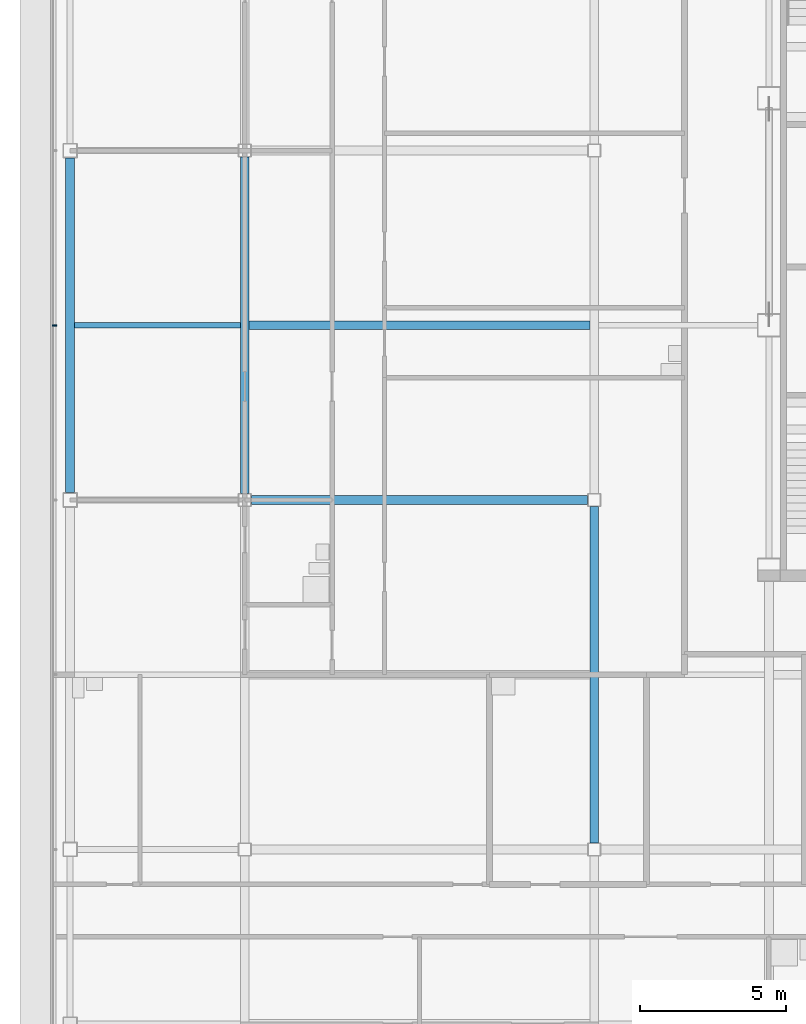
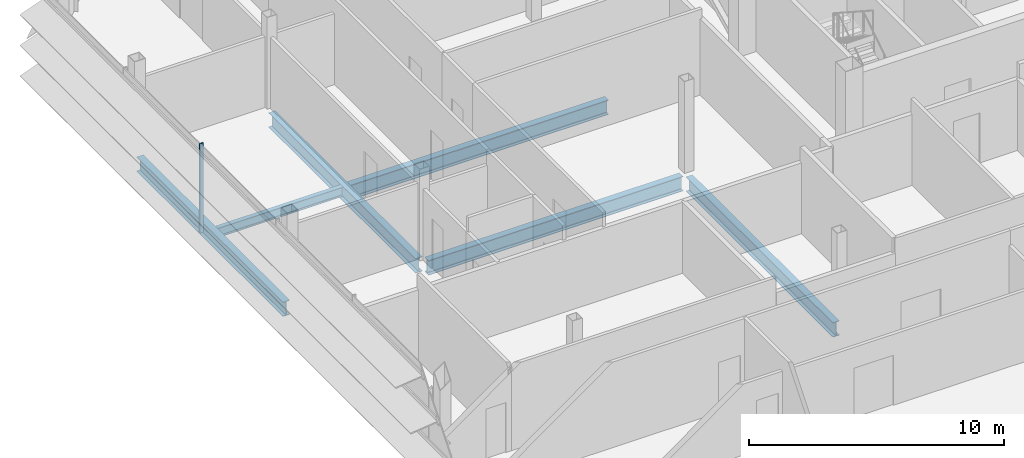
# One storey, part 8 of 29: 6 beams, 1 member, 1 element without a shape of its own.
"""IFC4 building model written with IfcOpenShell, lengths in metres."""

from ifc_helpers import new_model, si_unit, direction, frame, origin, origin_2d, place, context, subcontext, project, spatial, rectangle, i_section, extrude, material, material_profile, profile_set, type_object, element, aggregate, save


model = new_model("IFC4")

# Units and contexts
model_context = context("Model", 3, precision=1e-05, world=origin(), true_north=direction((0.0, 1.0)))
body_context = subcontext(model_context, "Body", "Model", "MODEL_VIEW")
ifc_project = project(units=[si_unit("LENGTHUNIT", "METRE"), si_unit("AREAUNIT", "SQUARE_METRE"), si_unit("VOLUMEUNIT", "CUBIC_METRE"), si_unit("PLANEANGLEUNIT", "RADIAN"), si_unit("MASSUNIT", "GRAM", prefix="KILO")], contexts=[model_context])

# Site, building, storey
site_placement = place(None, origin())
site = spatial("IfcSite", under=ifc_project, at=site_placement, CompositionType="ELEMENT")
building_placement = place(site_placement, origin())
building = spatial("IfcBuilding", under=site, at=building_placement, Name="Sorahane Residences", CompositionType="ELEMENT")
storey_placement = place(building_placement, frame((0.0, 0.0, 326.800048828125)))
storey = spatial("IfcBuildingStorey", under=building, at=storey_placement, Name="L78", CompositionType="ELEMENT", Elevation=326.800048828125)

# Curtain wall, member
ifc_material_1 = material(Name="Dark low-e glass and black anodised aluminium", Category="aluminium")
curtain_wall_type = type_object("IfcCurtainWallType", Name="Curtain wall CW-1 Typical unitised wall", PredefinedType="NOTDEFINED", material=ifc_material_1)
curtain_wall_placement = place(storey_placement, origin())
curtain_wall = element("IfcCurtainWall", 1, at=curtain_wall_placement, inside=storey, type_object=curtain_wall_type, Name="CW-1 curtain wall L78 W1", PredefinedType="NOTDEFINED")
ifc_material_2 = material(Name="Black anodised aluminium", Category="aluminium")
ifc_material_profile_1 = material_profile(ifc_material_2, rectangle(XDim=0.159912109375, YDim=0.050048828125, at=origin_2d()), Name="Curtain wall mullion CW-1 black anodised aluminium 50x160")
ifc_profile_set_1 = profile_set([ifc_material_profile_1], Name="Black anodised aluminium")
member_type = type_object("IfcMemberType", Name="Curtain wall mullion CW-1 black anodised aluminium 50x160", PredefinedType="MULLION", material=ifc_profile_set_1)
member_placement = place(storey_placement, frame((-18.5400390625, 30.0, -0.179931640625), z_axis=(0.0, 0.0, 1.0), x_axis=(-1.0, 0.0, 0.0)))
member = element("IfcMember", 2, at=member_placement, type_object=member_type, Name="CW-1 mullion L78 W1.3", PredefinedType="MULLION", context=body_context, shape_type="SweptSolid", body=[
    extrude(rectangle(XDim=0.159912109375, YDim=0.050048828125, at=origin_2d()), origin(), (0.0, 0.0, 1.0), 4.27978515625),
])
aggregate(curtain_wall, [member])

# Beams
ifc_material_3 = material(Name="Steel Q355B", Category="steel")
ifc_material_profile_2 = material_profile(ifc_material_3, i_section(OverallWidth=0.199951171875, OverallDepth=0.449951171875, WebThickness=0.009033203125, FlangeThickness=0.013916015625, FilletRadius=0.02001953125, at=origin_2d()), Name="HN 450x200x9x14")
ifc_profile_set_2 = profile_set([ifc_material_profile_2], Name="Steel Q355B")
beam_type_1 = type_object("IfcBeamType", Name="Steel floor beam HN 450x200x9x14 Q355B", PredefinedType="BEAM", material=ifc_profile_set_2)
beam_1_placement = place(storey_placement, frame((-17.85009765625, 30.0, -0.405029296875), z_axis=(1.0, 0.0, 0.0), x_axis=(0.0, 1.0, 0.0)))
element("IfcBeam", 3, at=beam_1_placement, inside=storey, type_object=beam_type_1, Name="Beam L78 083", PredefinedType="BEAM", context=body_context, shape_type="SweptSolid", body=[
    extrude(i_section(OverallWidth=0.199951171875, OverallDepth=0.449951171875, WebThickness=0.009033203125, FlangeThickness=0.013916015625, FilletRadius=0.02001953125, at=origin_2d()), origin(), (0.0, 0.0, 1.0), 5.7001953125),
])
ifc_material_4 = material(Name="Steel Q355B", Category="steel")
ifc_material_profile_3 = material_profile(ifc_material_4, i_section(OverallWidth=0.300048828125, OverallDepth=0.699951171875, WebThickness=0.012939453125, FlangeThickness=0.02392578125, FilletRadius=0.028076171875, at=origin_2d()), Name="HN 700x300x13x24")
ifc_profile_set_3 = profile_set([ifc_material_profile_3], Name="Steel Q355B")
beam_type_2 = type_object("IfcBeamType", Name="Steel floor beam HN 700x300x13x24 Q355B", PredefinedType="BEAM", material=ifc_profile_set_3)
beam_2_placement = place(storey_placement, frame((-11.77490234375, 24.0, -0.530029296875), z_axis=(1.0, 0.0, 0.0), x_axis=(0.0, 1.0, 0.0)))
element("IfcBeam", 4, at=beam_2_placement, inside=storey, type_object=beam_type_2, Name="Beam L78 012", PredefinedType="BEAM", context=body_context, shape_type="SweptSolid", body=[
    extrude(i_section(OverallWidth=0.300048828125, OverallDepth=0.699951171875, WebThickness=0.012939453125, FlangeThickness=0.02392578125, FilletRadius=0.028076171875, at=origin_2d()), origin(), (0.0, 0.0, 1.0), 11.5498046875),
])
beam_3_placement = place(storey_placement, frame((-18.0, 24.25, -0.530029296875), z_axis=(0.0, 1.0, 0.0), x_axis=(-1.0, 0.0, 0.0)))
element("IfcBeam", 5, at=beam_3_placement, inside=storey, type_object=beam_type_2, Name="Beam L78 022", PredefinedType="BEAM", context=body_context, shape_type="SweptSolid", body=[
    extrude(i_section(OverallWidth=0.300048828125, OverallDepth=0.699951171875, WebThickness=0.012939453125, FlangeThickness=0.02392578125, FilletRadius=0.028076171875, at=origin_2d()), origin(), (0.0, 0.0, 1.0), 11.5),
])
for number, where, z_axis, x_axis, name in (
    (6, (-12.0, 24.22509765625, -0.530029296875), (0.0, 1.0, 0.0), (-1.0, 0.0, 0.0), "Beam L78 026"),
    (7, (0.0, 12.22509765625, -0.530029296875), (0.0, 1.0, 0.0), (-1.0, 0.0, 0.0), "Beam L78 029"),
):
    element("IfcBeam", number, at=place(storey_placement, frame(where, z_axis=z_axis, x_axis=x_axis)), inside=storey, type_object=beam_type_2, Name=name, PredefinedType="BEAM", context=body_context, shape_type="SweptSolid", body=[
        extrude(i_section(OverallWidth=0.300048828125, OverallDepth=0.699951171875, WebThickness=0.012939453125, FlangeThickness=0.02392578125, FilletRadius=0.028076171875, at=origin_2d()), origin(), (0.0, 0.0, 1.0), 11.5498046875),
    ])
beam_4_placement = place(storey_placement, frame((-11.85009765625, 30.0, -0.530029296875), z_axis=(1.0, 0.0, 0.0), x_axis=(0.0, 1.0, 0.0)))
element("IfcBeam", 8, at=beam_4_placement, inside=storey, type_object=beam_type_2, Name="Beam L78 084", PredefinedType="BEAM", context=body_context, shape_type="SweptSolid", body=[
    extrude(i_section(OverallWidth=0.300048828125, OverallDepth=0.699951171875, WebThickness=0.012939453125, FlangeThickness=0.02392578125, FilletRadius=0.028076171875, at=origin_2d()), origin(), (0.0, 0.0, 1.0), 11.7001953125),
])

save(model, "model.ifc")
